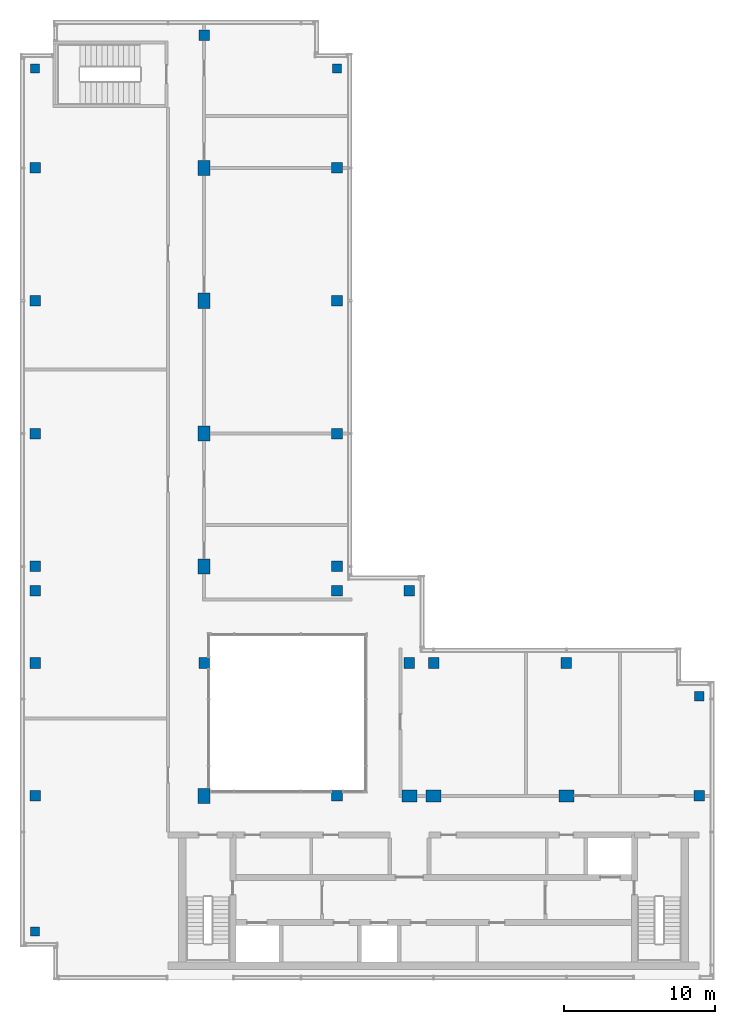
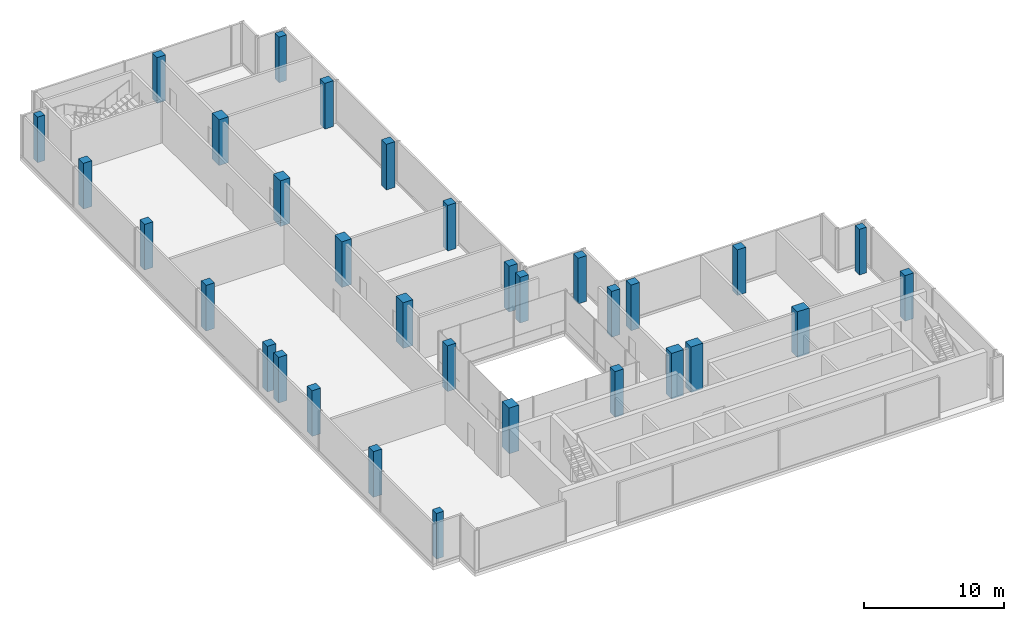
# One storey, part 1 of 11: 32 columns.
"""IFC4 building model written with IfcOpenShell, lengths in metres."""

from ifc_helpers import new_model, si_unit, direction, frame, origin, origin_2d, place, context, subcontext, project, spatial, rectangle, extrude, material, material_profile, profile_set, type_object, element, save


model = new_model("IFC4")

# Units and contexts
model_context = context("Model", 3, precision=1e-05, world=origin(), true_north=direction((0.0, 1.0)))
body_context = subcontext(model_context, "Body", "Model", "MODEL_VIEW")
ifc_project = project(units=[si_unit("LENGTHUNIT", "METRE"), si_unit("AREAUNIT", "SQUARE_METRE"), si_unit("VOLUMEUNIT", "CUBIC_METRE"), si_unit("PLANEANGLEUNIT", "RADIAN"), si_unit("MASSUNIT", "GRAM", prefix="KILO")], contexts=[model_context])

# Site, building, storey
site_placement = place(None, origin())
site = spatial("IfcSite", under=ifc_project, at=site_placement, CompositionType="ELEMENT")
building_placement = place(site_placement, origin())
building = spatial("IfcBuilding", under=site, at=building_placement, Name="Kemantara Hotel Tower", CompositionType="ELEMENT")
storey_placement = place(building_placement, frame((0.0, 0.0, 322.199951171875)))
storey = spatial("IfcBuildingStorey", under=building, at=storey_placement, Name="L81", CompositionType="ELEMENT", Elevation=322.199951171875)

# Columns
ifc_material = material(Name="Concrete fc 50 MPa", Category="concrete")
ifc_material_profile_1 = material_profile(ifc_material, rectangle(XDim=1.0, YDim=0.800048828125, at=origin_2d()), Name="RC 1000X800")
ifc_profile_set_1 = profile_set([ifc_material_profile_1], Name="Concrete fc 50 MPa")
column_type_1 = type_object("IfcColumnType", Name="RC COLUMN 1000X800 FC50", PredefinedType="COLUMN", material=ifc_profile_set_1)
for number, where, z_axis, x_axis, name in (
    (1, (12.199951171875, 12.199951171875, 0.0), (0.0, 0.0, 1.0), (0.0, 1.0, 0.0), "COLUMN 2A/BA L81"),
    (2, (12.199951171875, 27.39990234375, 0.0), (0.0, 0.0, 1.0), (0.0, 1.0, 0.0), "COLUMN 2A/D L81"),
    (3, (12.199951171875, 36.199951171875, 0.0), (0.0, 0.0, 1.0), (0.0, 1.0, 0.0), "COLUMN 2A/E L81"),
    (4, (12.199951171875, 45.0, 0.0), (0.0, 0.0, 1.0), (0.0, 1.0, 0.0), "COLUMN 2A/F L81"),
    (5, (12.199951171875, 53.800048828125, 0.0), (0.0, 0.0, 1.0), (0.0, 1.0, 0.0), "COLUMN 2A/G L81"),
    (6, (25.800048828125, 12.199951171875, 0.0), (0.0, 0.0, 1.0), (1.0, 0.0, 0.0), "COLUMN 3A/BA L81"),
    (7, (27.39990234375, 12.199951171875, 0.0), (0.0, 0.0, 1.0), (1.0, 0.0, 0.0), "COLUMN 4/BA L81"),
    (8, (36.199951171875, 12.199951171875, 0.0), (0.0, 0.0, 1.0), (1.0, 0.0, 0.0), "COLUMN 5/BA L81"),
):
    element("IfcColumn", number, at=place(storey_placement, frame(where, z_axis=z_axis, x_axis=x_axis)), inside=storey, type_object=column_type_1, Name=name, PredefinedType="COLUMN", context=body_context, shape_type="SweptSolid", body=[
        extrude(rectangle(XDim=1.0, YDim=0.800048828125, at=origin_2d()), origin(), (0.0, 0.0, 1.0), 4.0),
    ])
ifc_material_profile_2 = material_profile(ifc_material, rectangle(XDim=0.60009765625, YDim=0.60009765625, at=origin_2d()), Name="RC 600X600")
ifc_profile_set_2 = profile_set([ifc_material_profile_2], Name="Concrete fc 50 MPa")
column_type_2 = type_object("IfcColumnType", Name="RC COLUMN 600X600 FC50", PredefinedType="COLUMN", material=ifc_profile_set_2)
for number, where, z_axis, x_axis, name in (
    (9, (1.0, 3.199951171875, 0.0), (0.0, 0.0, 1.0), (1.0, 0.0, 0.0), "COLUMN notch corner L81"),
    (10, (1.0, 60.39990234375, 0.0), (0.0, 0.0, 1.0), (1.0, 0.0, 0.0), "COLUMN notch corner L81"),
    (11, (21.0, 60.39990234375, 0.0), (0.0, 0.0, 1.0), (1.0, 0.0, 0.0), "COLUMN notch corner L81"),
    (12, (45.0, 18.800048828125, 0.0), (0.0, 0.0, 1.0), (1.0, 0.0, 0.0), "COLUMN notch corner L81"),
):
    element("IfcColumn", number, at=place(storey_placement, frame(where, z_axis=z_axis, x_axis=x_axis)), inside=storey, type_object=column_type_2, Name=name, PredefinedType="COLUMN", context=body_context, shape_type="SweptSolid", body=[
        extrude(rectangle(XDim=0.60009765625, YDim=0.60009765625, at=origin_2d()), origin(), (0.0, 0.0, 1.0), 4.0),
    ])
ifc_material_profile_3 = material_profile(ifc_material, rectangle(XDim=0.699951171875, YDim=0.699951171875, at=origin_2d()), Name="RC 700X700")
ifc_profile_set_3 = profile_set([ifc_material_profile_3], Name="Concrete fc 50 MPa")
column_type_3 = type_object("IfcColumnType", Name="RC COLUMN 700X700 FC50", PredefinedType="COLUMN", material=ifc_profile_set_3)
for number, where, z_axis, x_axis, name in (
    (13, (1.0, 12.199951171875, 0.0), (0.0, 0.0, 1.0), (1.0, 0.0, 0.0), "COLUMN 1/BA L81"),
    (14, (1.0, 21.0, 0.0), (0.0, 0.0, 1.0), (1.0, 0.0, 0.0), "COLUMN 1/C L81"),
    (15, (1.0, 25.800048828125, 0.0), (0.0, 0.0, 1.0), (1.0, 0.0, 0.0), "COLUMN 1/CA L81"),
    (16, (1.0, 27.39990234375, 0.0), (0.0, 0.0, 1.0), (1.0, 0.0, 0.0), "COLUMN 1/D L81"),
    (17, (1.0, 36.199951171875, 0.0), (0.0, 0.0, 1.0), (1.0, 0.0, 0.0), "COLUMN 1/E L81"),
    (18, (1.0, 45.0, 0.0), (0.0, 0.0, 1.0), (1.0, 0.0, 0.0), "COLUMN 1/F L81"),
    (19, (1.0, 53.800048828125, 0.0), (0.0, 0.0, 1.0), (1.0, 0.0, 0.0), "COLUMN 1/G L81"),
    (20, (12.199951171875, 21.0, 0.0), (0.0, 0.0, 1.0), (1.0, 0.0, 0.0), "COLUMN 2A/C L81"),
    (21, (12.199951171875, 62.60009765625, 0.0), (0.0, 0.0, 1.0), (1.0, 0.0, 0.0), "COLUMN 2A/H L81"),
    (22, (21.0, 12.199951171875, 0.0), (0.0, 0.0, 1.0), (1.0, 0.0, 0.0), "COLUMN 3/BA L81"),
    (23, (21.0, 25.800048828125, 0.0), (0.0, 0.0, 1.0), (1.0, 0.0, 0.0), "COLUMN 3/CA L81"),
    (24, (21.0, 27.39990234375, 0.0), (0.0, 0.0, 1.0), (1.0, 0.0, 0.0), "COLUMN 3/D L81"),
    (25, (21.0, 36.199951171875, 0.0), (0.0, 0.0, 1.0), (1.0, 0.0, 0.0), "COLUMN 3/E L81"),
    (26, (21.0, 45.0, 0.0), (0.0, 0.0, 1.0), (1.0, 0.0, 0.0), "COLUMN 3/F L81"),
    (27, (21.0, 53.800048828125, 0.0), (0.0, 0.0, 1.0), (1.0, 0.0, 0.0), "COLUMN 3/G L81"),
    (28, (25.800048828125, 21.0, 0.0), (0.0, 0.0, 1.0), (1.0, 0.0, 0.0), "COLUMN 3A/C L81"),
    (29, (25.800048828125, 25.800048828125, 0.0), (0.0, 0.0, 1.0), (1.0, 0.0, 0.0), "COLUMN 3A/CA L81"),
    (30, (27.39990234375, 21.0, 0.0), (0.0, 0.0, 1.0), (1.0, 0.0, 0.0), "COLUMN 4/C L81"),
    (31, (36.199951171875, 21.0, 0.0), (0.0, 0.0, 1.0), (1.0, 0.0, 0.0), "COLUMN 5/C L81"),
    (32, (45.0, 12.199951171875, 0.0), (0.0, 0.0, 1.0), (1.0, 0.0, 0.0), "COLUMN 6/BA L81"),
):
    element("IfcColumn", number, at=place(storey_placement, frame(where, z_axis=z_axis, x_axis=x_axis)), inside=storey, type_object=column_type_3, Name=name, PredefinedType="COLUMN", context=body_context, shape_type="SweptSolid", body=[
        extrude(rectangle(XDim=0.699951171875, YDim=0.699951171875, at=origin_2d()), origin(), (0.0, 0.0, 1.0), 4.0),
    ])

save(model, "model.ifc")
